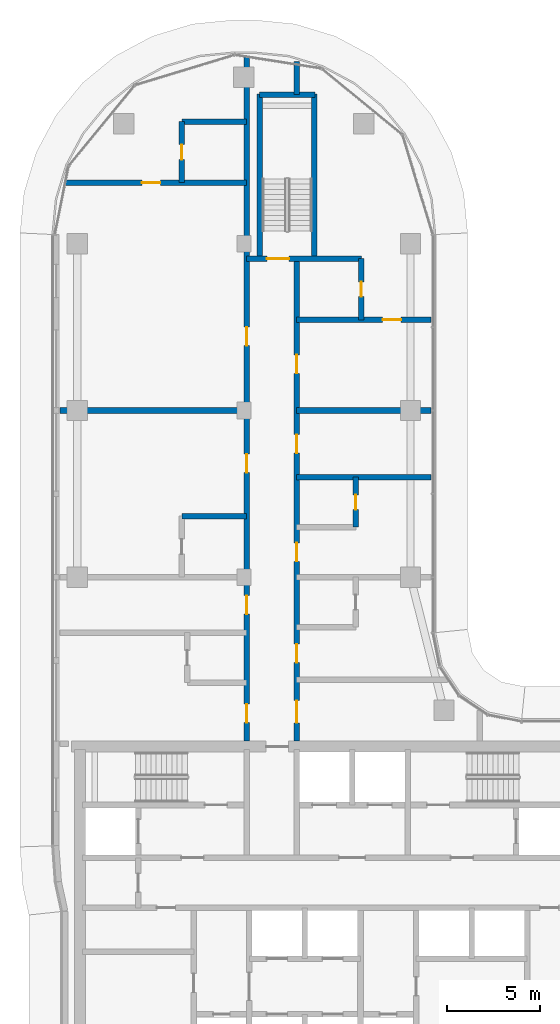
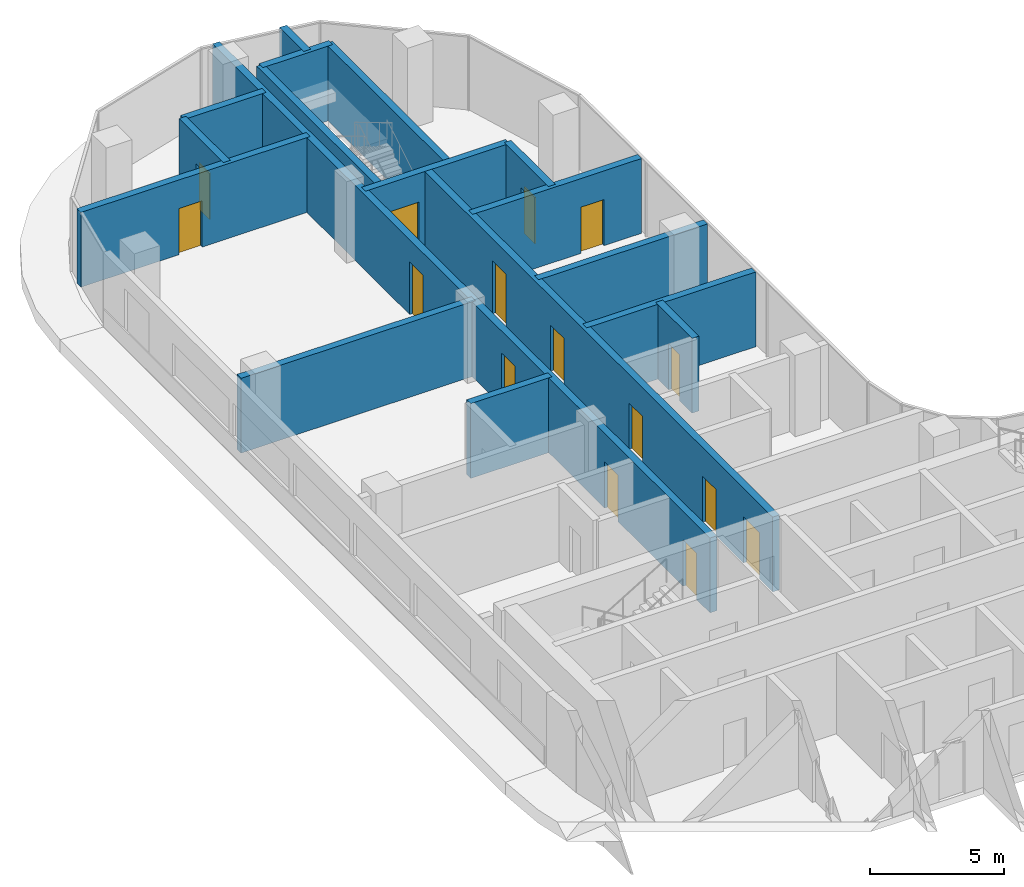
# One storey, part 14 of 27: 17 walls, 15 doors, 15 openings.
"""IFC4 building model written with IfcOpenShell, lengths in metres."""

from ifc_helpers import new_model, si_unit, direction, frame, frame_2d, origin, place, context, subcontext, project, spatial, rectangle, extrude, material, layer, layer_set, type_object, element, fill, save


model = new_model("IFC4")

# Units and contexts
model_context = context("Model", 3, precision=1e-05, world=origin(), true_north=direction((0.0, 1.0)))
body_context = subcontext(model_context, "Body", "Model", "MODEL_VIEW")
ifc_project = project(units=[si_unit("LENGTHUNIT", "METRE"), si_unit("AREAUNIT", "SQUARE_METRE"), si_unit("VOLUMEUNIT", "CUBIC_METRE"), si_unit("PLANEANGLEUNIT", "RADIAN"), si_unit("MASSUNIT", "GRAM", prefix="KILO")], contexts=[model_context])

# Site, building, storey
site_placement = place(None, origin())
site = spatial("IfcSite", under=ifc_project, at=site_placement, CompositionType="ELEMENT")
building_placement = place(site_placement, origin())
building = spatial("IfcBuilding", under=site, at=building_placement, Name="Ogive Portal Towers", CompositionType="ELEMENT")
storey_placement = place(building_placement, frame((0.0, 0.0, 160.699951171875)))
storey = spatial("IfcBuildingStorey", under=building, at=storey_placement, Name="L39", CompositionType="ELEMENT", Elevation=160.699951171875)

# Wall, opening, door
ifc_material_1 = material(Name="Concrete C50/60", Category="concrete")
ifc_layer_1 = layer(ifc_material_1, 0.300048828125)
ifc_layer_set_1 = layer_set([ifc_layer_1], Name="STAIR WALL 300 C50")
wall_type_1 = type_object("IfcWallType", Name="STAIR WALL 300 C50", PredefinedType="SHEAR", material=ifc_layer_set_1)
wall_1_placement = place(storey_placement, frame((40.64990234375, 65.699951171875, 0.0), z_axis=(0.0, 0.0, 1.0), x_axis=(1.0, 0.0, 0.0)))
wall_1 = element("IfcWall", 1, at=wall_1_placement, inside=storey, type_object=wall_type_1, Name="Stair wall ST-A3 L39", PredefinedType="SHEAR", context=body_context, shape_type="SweptSolid", body=[
    extrude(rectangle(XDim=6.2001953125, YDim=0.300048828125, at=frame_2d((3.10009765625, 0.0))), origin(), (0.0, 0.0, 1.0), 3.400146484375),
])
opening_1_placement = place(wall_1_placement, frame((1.10009765625, 0.0, 0.0)))
opening_1 = element("IfcOpeningElement", 2, at=opening_1_placement, cuts=wall_1, Name="Opening D16-052", PredefinedType="OPENING", context=body_context, shape_type="SweptSolid", body=[
    extrude(rectangle(XDim=1.199951171875, YDim=2.10009765625, at=frame_2d((0.60009765625, 1.050048828125))), frame((0.0, 0.16015625, 0.0), z_axis=(0.0, -1.0, 0.0), x_axis=(1.0, 0.0, 0.0)), (0.0, 0.0, 1.0), 0.320068359375),
])
ifc_material_2 = material(Name="Steel fire door", Category="steel")
door_type_1 = type_object("IfcDoorType", Name="DT-STAIR-1200x2100-FD90S", OperationType="SINGLE_SWING_LEFT", PredefinedType="DOOR", material=ifc_material_2)
door_1_placement = place(opening_1_placement, origin())
door_1 = element("IfcDoor", 3, at=door_1_placement, inside=storey, type_object=door_type_1, Name="Door D16-052", OperationType="SINGLE_SWING_RIGHT", OverallHeight=2.10009765625, OverallWidth=1.199951171875, PredefinedType="DOOR", context=body_context, shape_type="SweptSolid", body=[
    extrude(rectangle(XDim=1.199951171875, YDim=2.10009765625, at=frame_2d((0.60009765625, 1.050048828125))), frame((0.0, 0.02490234375, 0.0), z_axis=(0.0, -1.0, 0.0), x_axis=(1.0, 0.0, 0.0)), (0.0, 0.0, 1.0), 0.050048828125),
])
fill(opening_1, door_1)

# Walls
wall_2_placement = place(storey_placement, frame((41.35009765625, 74.550048828125, 0.0), z_axis=(0.0, 0.0, 1.0), x_axis=(1.0, 0.0, 0.0)))
element("IfcWall", 4, at=wall_2_placement, inside=storey, type_object=wall_type_1, Name="Stair wall ST-A3 L39", PredefinedType="SHEAR", context=body_context, shape_type="SweptSolid", body=[
    extrude(rectangle(XDim=3.0, YDim=0.300048828125, at=frame_2d((1.5, 0.0))), origin(), (0.0, 0.0, 1.0), 3.400146484375),
])
wall_3_placement = place(storey_placement, frame((41.35009765625, 65.75, 0.0), z_axis=(0.0, 0.0, 1.0), x_axis=(0.0, 1.0, 0.0)))
element("IfcWall", 5, at=wall_3_placement, inside=storey, type_object=wall_type_1, Name="Stair wall ST-A3 L39", PredefinedType="SHEAR", context=body_context, shape_type="SweptSolid", body=[
    extrude(rectangle(XDim=8.85009765625, YDim=0.300048828125, at=frame_2d((4.425048828125, 0.0))), origin(), (0.0, 0.0, 1.0), 3.400146484375),
])
wall_4_placement = place(storey_placement, frame((44.300048828125, 65.699951171875, 0.0), z_axis=(0.0, 0.0, 1.0), x_axis=(0.0, 1.0, 0.0)))
element("IfcWall", 6, at=wall_4_placement, inside=storey, type_object=wall_type_1, Name="Stair wall ST-A3 L39", PredefinedType="SHEAR", context=body_context, shape_type="SweptSolid", body=[
    extrude(rectangle(XDim=8.900146484375, YDim=0.300048828125, at=frame_2d((4.4501953125, 0.0))), origin(), (0.0, 0.0, 1.0), 3.400146484375),
])
ifc_material_3 = material(Name="Gypsum board partition on steel studs", Category="steel")
ifc_layer_2 = layer(ifc_material_3, 0.300048828125)
ifc_layer_set_2 = layer_set([ifc_layer_2], Name="WT-PART-300-EI 60")
wall_type_2 = type_object("IfcWallType", Name="WT-PART-300-EI 60", PredefinedType="PARTITIONING", material=ifc_layer_set_2)
wall_5_placement = place(storey_placement, frame((37.14990234375, 51.800048828125, 0.0), z_axis=(0.0, 0.0, 1.0), x_axis=(1.0, 0.0, 0.0)))
element("IfcWall", 7, at=wall_5_placement, inside=storey, type_object=wall_type_2, Name="Wall L39:w016", PredefinedType="PARTITIONING", context=body_context, shape_type="SweptSolid", body=[
    extrude(rectangle(XDim=3.5, YDim=0.300048828125, at=frame_2d((1.75, 0.0))), origin(), (0.0, 0.0, 1.0), 3.400146484375),
])
wall_6_placement = place(storey_placement, frame((43.35009765625, 53.89990234375, 0.0), z_axis=(0.0, 0.0, 1.0), x_axis=(1.0, 0.0, 0.0)))
element("IfcWall", 8, at=wall_6_placement, inside=storey, type_object=wall_type_2, Name="Wall L39:w017", PredefinedType="PARTITIONING", context=body_context, shape_type="SweptSolid", body=[
    extrude(rectangle(XDim=7.264892578125, YDim=0.300048828125, at=frame_2d((3.63232421875, 0.0))), origin(), (0.0, 0.0, 1.0), 3.400146484375),
])
wall_7_placement = place(storey_placement, frame((30.56494140625, 57.5, 0.0), z_axis=(0.0, 0.0, 1.0), x_axis=(1.0, 0.0, 0.0)))
element("IfcWall", 9, at=wall_7_placement, inside=storey, type_object=wall_type_2, Name="Wall L39:w018", PredefinedType="PARTITIONING", context=body_context, shape_type="SweptSolid", body=[
    extrude(rectangle(XDim=10.0849609375, YDim=0.300048828125, at=frame_2d((5.04248046875, 0.0))), origin(), (0.0, 0.0, 1.0), 3.400146484375),
])
wall_8_placement = place(storey_placement, frame((43.35009765625, 57.5, 0.0), z_axis=(0.0, 0.0, 1.0), x_axis=(1.0, 0.0, 0.0)))
element("IfcWall", 10, at=wall_8_placement, inside=storey, type_object=wall_type_2, Name="Wall L39:w019", PredefinedType="PARTITIONING", context=body_context, shape_type="SweptSolid", body=[
    extrude(rectangle(XDim=7.264892578125, YDim=0.300048828125, at=frame_2d((3.63232421875, 0.0))), origin(), (0.0, 0.0, 1.0), 3.400146484375),
])

# Wall, opening, door
wall_9_placement = place(storey_placement, frame((43.35009765625, 62.39990234375, 0.0), z_axis=(0.0, 0.0, 1.0), x_axis=(1.0, 0.0, 0.0)))
wall_9 = element("IfcWall", 11, at=wall_9_placement, inside=storey, type_object=wall_type_2, Name="Wall L39:w020", PredefinedType="PARTITIONING", context=body_context, shape_type="SweptSolid", body=[
    extrude(rectangle(XDim=7.264892578125, YDim=0.300048828125, at=frame_2d((3.63232421875, 0.0))), origin(), (0.0, 0.0, 1.0), 3.400146484375),
])
opening_2_placement = place(wall_9_placement, frame((4.64990234375, 0.0, 0.0)))
opening_2 = element("IfcOpeningElement", 12, at=opening_2_placement, cuts=wall_9, Name="Opening D16-043", PredefinedType="OPENING", context=body_context, shape_type="SweptSolid", body=[
    extrude(rectangle(XDim=1.0, YDim=2.10009765625, at=frame_2d((0.5, 1.050048828125))), frame((0.0, 0.16015625, 0.0), z_axis=(0.0, -1.0, 0.0), x_axis=(1.0, 0.0, 0.0)), (0.0, 0.0, 1.0), 0.320068359375),
])
door_type_2 = type_object("IfcDoorType", Name="DT-ENTRY-1000x2100-FD60S", OperationType="SINGLE_SWING_LEFT", PredefinedType="DOOR", material=ifc_material_2)
door_2_placement = place(opening_2_placement, origin())
door_2 = element("IfcDoor", 13, at=door_2_placement, inside=storey, type_object=door_type_2, Name="Door D16-043", OperationType="SINGLE_SWING_RIGHT", OverallHeight=2.10009765625, OverallWidth=1.0, PredefinedType="DOOR", context=body_context, shape_type="SweptSolid", body=[
    extrude(rectangle(XDim=1.0, YDim=2.10009765625, at=frame_2d((0.5, 1.050048828125))), frame((0.0, 0.02490234375, 0.0), z_axis=(0.0, -1.0, 0.0), x_axis=(1.0, 0.0, 0.0)), (0.0, 0.0, 1.0), 0.050048828125),
])
fill(opening_2, door_2)

wall_10_placement = place(storey_placement, frame((30.7880859375, 69.800048828125, 0.0), z_axis=(0.0, 0.0, 1.0), x_axis=(1.0, 0.0, 0.0)))
wall_10 = element("IfcWall", 14, at=wall_10_placement, inside=storey, type_object=wall_type_2, Name="Wall L39:w022", PredefinedType="PARTITIONING", context=body_context, shape_type="SweptSolid", body=[
    extrude(rectangle(XDim=9.86181640625, YDim=0.300048828125, at=frame_2d((4.930908203125, 0.0))), origin(), (0.0, 0.0, 1.0), 3.400146484375),
])
opening_3_placement = place(wall_10_placement, frame((4.2119140625, 0.0, 0.0)))
opening_3 = element("IfcOpeningElement", 15, at=opening_3_placement, cuts=wall_10, Name="Opening D16-046", PredefinedType="OPENING", context=body_context, shape_type="SweptSolid", body=[
    extrude(rectangle(XDim=1.0, YDim=2.10009765625, at=frame_2d((0.5, 1.050048828125))), frame((0.0, 0.16015625, 0.0), z_axis=(0.0, -1.0, 0.0), x_axis=(1.0, 0.0, 0.0)), (0.0, 0.0, 1.0), 0.320068359375),
])
door_3_placement = place(opening_3_placement, origin())
door_3 = element("IfcDoor", 16, at=door_3_placement, inside=storey, type_object=door_type_2, Name="Door D16-046", OperationType="SINGLE_SWING_RIGHT", OverallHeight=2.10009765625, OverallWidth=1.0, PredefinedType="DOOR", context=body_context, shape_type="SweptSolid", body=[
    extrude(rectangle(XDim=1.0, YDim=2.10009765625, at=frame_2d((0.5, 1.050048828125))), frame((0.0, 0.02490234375, 0.0), z_axis=(0.0, -1.0, 0.0), x_axis=(1.0, 0.0, 0.0)), (0.0, 0.0, 1.0), 0.050048828125),
])
fill(opening_3, door_3)

# Wall
wall_11_placement = place(storey_placement, frame((37.14990234375, 73.10009765625, 0.0), z_axis=(0.0, 0.0, 1.0), x_axis=(1.0, 0.0, 0.0)))
element("IfcWall", 17, at=wall_11_placement, inside=storey, type_object=wall_type_2, Name="Wall L39:w023", PredefinedType="PARTITIONING", context=body_context, shape_type="SweptSolid", body=[
    extrude(rectangle(XDim=3.5, YDim=0.300048828125, at=frame_2d((1.75, 0.0))), origin(), (0.0, 0.0, 1.0), 3.400146484375),
])

# Wall, opening, door
wall_12_placement = place(storey_placement, frame((37.14990234375, 69.800048828125, 0.0), z_axis=(0.0, 0.0, 1.0), x_axis=(0.0, 1.0, 0.0)))
wall_12 = element("IfcWall", 18, at=wall_12_placement, inside=storey, type_object=wall_type_2, Name="Wall L39:w026", PredefinedType="PARTITIONING", context=body_context, shape_type="SweptSolid", body=[
    extrude(rectangle(XDim=3.300048828125, YDim=0.300048828125, at=frame_2d((1.64990234375, 0.0))), origin(), (0.0, 0.0, 1.0), 3.400146484375),
])
opening_4_placement = place(wall_12_placement, frame((1.25, 0.0, 0.0)))
opening_4 = element("IfcOpeningElement", 19, at=opening_4_placement, cuts=wall_12, Name="Opening D16-047", PredefinedType="OPENING", context=body_context, shape_type="SweptSolid", body=[
    extrude(rectangle(XDim=0.800048828125, YDim=2.10009765625, at=frame_2d((0.39990234375, 1.050048828125))), frame((0.0, 0.16015625, 0.0), z_axis=(0.0, -1.0, 0.0), x_axis=(1.0, 0.0, 0.0)), (0.0, 0.0, 1.0), 0.320068359375),
])
door_type_3 = type_object("IfcDoorType", Name="DT-BATH-800x2100-FD60S", OperationType="SINGLE_SWING_LEFT", PredefinedType="DOOR", material=ifc_material_2)
door_4_placement = place(opening_4_placement, origin())
door_4 = element("IfcDoor", 20, at=door_4_placement, inside=storey, type_object=door_type_3, Name="Door D16-047", OperationType="SINGLE_SWING_LEFT", OverallHeight=2.10009765625, OverallWidth=0.800048828125, PredefinedType="DOOR", context=body_context, shape_type="SweptSolid", body=[
    extrude(rectangle(XDim=0.800048828125, YDim=2.10009765625, at=frame_2d((0.39990234375, 1.050048828125))), frame((0.0, 0.02490234375, 0.0), z_axis=(0.0, -1.0, 0.0), x_axis=(1.0, 0.0, 0.0)), (0.0, 0.0, 1.0), 0.050048828125),
])
fill(opening_4, door_4)

# Wall, openings, doors
wall_13_placement = place(storey_placement, frame((40.64990234375, 39.64990234375, 0.0), z_axis=(0.0, 0.0, 1.0), x_axis=(0.0, 1.0, 0.0)))
wall_13 = element("IfcWall", 21, at=wall_13_placement, inside=storey, type_object=wall_type_2, Name="Wall L39:w028", PredefinedType="PARTITIONING", context=body_context, shape_type="SweptSolid", body=[
    extrude(rectangle(XDim=37.025146484375, YDim=0.300048828125, at=frame_2d((18.5126953125, 0.0))), origin(), (0.0, 0.0, 1.0), 3.400146484375),
])
opening_5_placement = place(wall_13_placement, frame((1.0, 0.0, 0.0)))
opening_5 = element("IfcOpeningElement", 22, at=opening_5_placement, cuts=wall_13, Name="Opening D16-035", PredefinedType="OPENING", context=body_context, shape_type="SweptSolid", body=[
    extrude(rectangle(XDim=1.0, YDim=2.10009765625, at=frame_2d((0.5, 1.050048828125))), frame((0.0, 0.16015625, 0.0), z_axis=(0.0, -1.0, 0.0), x_axis=(1.0, 0.0, 0.0)), (0.0, 0.0, 1.0), 0.320068359375),
])
opening_6_placement = place(wall_13_placement, frame((6.85009765625, 0.0, 0.0)))
opening_6 = element("IfcOpeningElement", 23, at=opening_6_placement, cuts=wall_13, Name="Opening D16-036", PredefinedType="OPENING", context=body_context, shape_type="SweptSolid", body=[
    extrude(rectangle(XDim=1.0, YDim=2.10009765625, at=frame_2d((0.5, 1.050048828125))), frame((0.0, 0.16015625, 0.0), z_axis=(0.0, -1.0, 0.0), x_axis=(1.0, 0.0, 0.0)), (0.0, 0.0, 1.0), 0.320068359375),
])
opening_7_placement = place(wall_13_placement, frame((14.5, 0.0, 0.0)))
opening_7 = element("IfcOpeningElement", 24, at=opening_7_placement, cuts=wall_13, Name="Opening D16-041", PredefinedType="OPENING", context=body_context, shape_type="SweptSolid", body=[
    extrude(rectangle(XDim=1.0, YDim=2.39990234375, at=frame_2d((0.5, 1.199951171875))), frame((0.0, 0.16015625, 0.0), z_axis=(0.0, -1.0, 0.0), x_axis=(1.0, 0.0, 0.0)), (0.0, 0.0, 1.0), 0.320068359375),
])
opening_8_placement = place(wall_13_placement, frame((21.35009765625, 0.0, 0.0)))
opening_8 = element("IfcOpeningElement", 25, at=opening_8_placement, cuts=wall_13, Name="Opening D16-045", PredefinedType="OPENING", context=body_context, shape_type="SweptSolid", body=[
    extrude(rectangle(XDim=1.0, YDim=2.39990234375, at=frame_2d((0.5, 1.199951171875))), frame((0.0, 0.16015625, 0.0), z_axis=(0.0, -1.0, 0.0), x_axis=(1.0, 0.0, 0.0)), (0.0, 0.0, 1.0), 0.320068359375),
])
door_5_placement = place(opening_5_placement, origin())
door_5 = element("IfcDoor", 26, at=door_5_placement, inside=storey, type_object=door_type_2, Name="Door D16-035", OperationType="SINGLE_SWING_RIGHT", OverallHeight=2.10009765625, OverallWidth=1.0, PredefinedType="DOOR", context=body_context, shape_type="SweptSolid", body=[
    extrude(rectangle(XDim=1.0, YDim=2.10009765625, at=frame_2d((0.5, 1.050048828125))), frame((0.0, 0.02490234375, 0.0), z_axis=(0.0, -1.0, 0.0), x_axis=(1.0, 0.0, 0.0)), (0.0, 0.0, 1.0), 0.050048828125),
])
fill(opening_5, door_5)
door_6_placement = place(opening_6_placement, origin())
door_6 = element("IfcDoor", 27, at=door_6_placement, inside=storey, type_object=door_type_2, Name="Door D16-036", OperationType="SINGLE_SWING_LEFT", OverallHeight=2.10009765625, OverallWidth=1.0, PredefinedType="DOOR", context=body_context, shape_type="SweptSolid", body=[
    extrude(rectangle(XDim=1.0, YDim=2.10009765625, at=frame_2d((0.5, 1.050048828125))), frame((0.0, 0.02490234375, 0.0), z_axis=(0.0, -1.0, 0.0), x_axis=(1.0, 0.0, 0.0)), (0.0, 0.0, 1.0), 0.050048828125),
])
fill(opening_6, door_6)
door_type_4 = type_object("IfcDoorType", Name="DT-ENTRY-1000x2400-FD60S", OperationType="SINGLE_SWING_LEFT", PredefinedType="DOOR", material=ifc_material_2)
door_7_placement = place(opening_7_placement, origin())
door_7 = element("IfcDoor", 28, at=door_7_placement, inside=storey, type_object=door_type_4, Name="Door D16-041", OperationType="SINGLE_SWING_RIGHT", OverallHeight=2.39990234375, OverallWidth=1.0, PredefinedType="DOOR", context=body_context, shape_type="SweptSolid", body=[
    extrude(rectangle(XDim=1.0, YDim=2.39990234375, at=frame_2d((0.5, 1.199951171875))), frame((0.0, 0.02490234375, 0.0), z_axis=(0.0, -1.0, 0.0), x_axis=(1.0, 0.0, 0.0)), (0.0, 0.0, 1.0), 0.050048828125),
])
fill(opening_7, door_7)
door_8_placement = place(opening_8_placement, origin())
door_8 = element("IfcDoor", 29, at=door_8_placement, inside=storey, type_object=door_type_4, Name="Door D16-045", OperationType="SINGLE_SWING_LEFT", OverallHeight=2.39990234375, OverallWidth=1.0, PredefinedType="DOOR", context=body_context, shape_type="SweptSolid", body=[
    extrude(rectangle(XDim=1.0, YDim=2.39990234375, at=frame_2d((0.5, 1.199951171875))), frame((0.0, 0.02490234375, 0.0), z_axis=(0.0, -1.0, 0.0), x_axis=(1.0, 0.0, 0.0)), (0.0, 0.0, 1.0), 0.050048828125),
])
fill(opening_8, door_8)

# Wall, opening, door
wall_14_placement = place(storey_placement, frame((46.550048828125, 51.199951171875, 0.0), z_axis=(0.0, 0.0, 1.0), x_axis=(0.0, 1.0, 0.0)))
wall_14 = element("IfcWall", 30, at=wall_14_placement, inside=storey, type_object=wall_type_2, Name="Wall L39:w034", PredefinedType="PARTITIONING", context=body_context, shape_type="SweptSolid", body=[
    extrude(rectangle(XDim=2.699951171875, YDim=0.300048828125, at=frame_2d((1.35009765625, 0.0))), origin(), (0.0, 0.0, 1.0), 3.400146484375),
])
opening_9_placement = place(wall_14_placement, frame((0.949951171875, 0.0, 0.0)))
opening_9 = element("IfcOpeningElement", 31, at=opening_9_placement, cuts=wall_14, Name="Opening D16-037", PredefinedType="OPENING", context=body_context, shape_type="SweptSolid", body=[
    extrude(rectangle(XDim=0.800048828125, YDim=2.10009765625, at=frame_2d((0.39990234375, 1.050048828125))), frame((0.0, 0.16015625, 0.0), z_axis=(0.0, -1.0, 0.0), x_axis=(1.0, 0.0, 0.0)), (0.0, 0.0, 1.0), 0.320068359375),
])
door_9_placement = place(opening_9_placement, origin())
door_9 = element("IfcDoor", 32, at=door_9_placement, inside=storey, type_object=door_type_3, Name="Door D16-037", OperationType="SINGLE_SWING_LEFT", OverallHeight=2.10009765625, OverallWidth=0.800048828125, PredefinedType="DOOR", context=body_context, shape_type="SweptSolid", body=[
    extrude(rectangle(XDim=0.800048828125, YDim=2.10009765625, at=frame_2d((0.39990234375, 1.050048828125))), frame((0.0, 0.02490234375, 0.0), z_axis=(0.0, -1.0, 0.0), x_axis=(1.0, 0.0, 0.0)), (0.0, 0.0, 1.0), 0.050048828125),
])
fill(opening_9, door_9)

wall_15_placement = place(storey_placement, frame((46.85009765625, 62.39990234375, 0.0), z_axis=(0.0, 0.0, 1.0), x_axis=(0.0, 1.0, 0.0)))
wall_15 = element("IfcWall", 33, at=wall_15_placement, inside=storey, type_object=wall_type_2, Name="Wall L39:w035", PredefinedType="PARTITIONING", context=body_context, shape_type="SweptSolid", body=[
    extrude(rectangle(XDim=3.300048828125, YDim=0.300048828125, at=frame_2d((1.64990234375, 0.0))), origin(), (0.0, 0.0, 1.0), 3.400146484375),
])
opening_10_placement = place(wall_15_placement, frame((1.25, 0.0, 0.0)))
opening_10 = element("IfcOpeningElement", 34, at=opening_10_placement, cuts=wall_15, Name="Opening D16-044", PredefinedType="OPENING", context=body_context, shape_type="SweptSolid", body=[
    extrude(rectangle(XDim=0.800048828125, YDim=2.10009765625, at=frame_2d((0.39990234375, 1.050048828125))), frame((0.0, 0.16015625, 0.0), z_axis=(0.0, -1.0, 0.0), x_axis=(1.0, 0.0, 0.0)), (0.0, 0.0, 1.0), 0.320068359375),
])
door_10_placement = place(opening_10_placement, origin())
door_10 = element("IfcDoor", 35, at=door_10_placement, inside=storey, type_object=door_type_3, Name="Door D16-044", OperationType="SINGLE_SWING_LEFT", OverallHeight=2.10009765625, OverallWidth=0.800048828125, PredefinedType="DOOR", context=body_context, shape_type="SweptSolid", body=[
    extrude(rectangle(XDim=0.800048828125, YDim=2.10009765625, at=frame_2d((0.39990234375, 1.050048828125))), frame((0.0, 0.02490234375, 0.0), z_axis=(0.0, -1.0, 0.0), x_axis=(1.0, 0.0, 0.0)), (0.0, 0.0, 1.0), 0.050048828125),
])
fill(opening_10, door_10)

# Wall, openings, doors
ifc_material_4 = material(Name="Concrete C40/50", Category="concrete")
ifc_layer_3 = layer(ifc_material_4, 0.300048828125)
ifc_layer_set_3 = layer_set([ifc_layer_3], Name="WT-SHAFT-300")
wall_type_3 = type_object("IfcWallType", Name="WT-SHAFT-300", PredefinedType="SOLIDWALL", material=ifc_layer_set_3)
wall_16_placement = place(storey_placement, frame((43.35009765625, 39.64990234375, 0.0), z_axis=(0.0, 0.0, 1.0), x_axis=(0.0, 1.0, 0.0)))
wall_16 = element("IfcWall", 36, at=wall_16_placement, inside=storey, type_object=wall_type_3, Name="Wall L39:w030", PredefinedType="SOLIDWALL", context=body_context, shape_type="SweptSolid", body=[
    extrude(rectangle(XDim=26.10009765625, YDim=0.300048828125, at=frame_2d((13.050048828125, 0.0))), origin(), (0.0, 0.0, 1.0), 3.400146484375),
])
opening_11_placement = place(wall_16_placement, frame((0.985107421875, 0.0, 0.0)))
opening_11 = element("IfcOpeningElement", 37, at=opening_11_placement, cuts=wall_16, Name="Opening D16-031", PredefinedType="OPENING", context=body_context, shape_type="SweptSolid", body=[
    extrude(rectangle(XDim=1.199951171875, YDim=2.10009765625, at=frame_2d((0.60009765625, 1.050048828125))), frame((0.0, 0.16015625, 0.0), z_axis=(0.0, -1.0, 0.0), x_axis=(1.0, 0.0, 0.0)), (0.0, 0.0, 1.0), 0.320068359375),
])
opening_12_placement = place(wall_16_placement, frame((4.235107421875, 0.0, 0.0)))
opening_12 = element("IfcOpeningElement", 38, at=opening_12_placement, cuts=wall_16, Name="Opening D16-033", PredefinedType="OPENING", context=body_context, shape_type="SweptSolid", body=[
    extrude(rectangle(XDim=1.0, YDim=2.10009765625, at=frame_2d((0.5, 1.050048828125))), frame((0.0, 0.16015625, 0.0), z_axis=(0.0, -1.0, 0.0), x_axis=(1.0, 0.0, 0.0)), (0.0, 0.0, 1.0), 0.320068359375),
])
opening_13_placement = place(wall_16_placement, frame((9.699951171875, 0.0, 0.0)))
opening_13 = element("IfcOpeningElement", 39, at=opening_13_placement, cuts=wall_16, Name="Opening D16-038", PredefinedType="OPENING", context=body_context, shape_type="SweptSolid", body=[
    extrude(rectangle(XDim=1.0, YDim=2.10009765625, at=frame_2d((0.5, 1.050048828125))), frame((0.0, 0.16015625, 0.0), z_axis=(0.0, -1.0, 0.0), x_axis=(1.0, 0.0, 0.0)), (0.0, 0.0, 1.0), 0.320068359375),
])
opening_14_placement = place(wall_16_placement, frame((15.550048828125, 0.0, 0.0)))
opening_14 = element("IfcOpeningElement", 40, at=opening_14_placement, cuts=wall_16, Name="Opening D16-039", PredefinedType="OPENING", context=body_context, shape_type="SweptSolid", body=[
    extrude(rectangle(XDim=1.0, YDim=2.10009765625, at=frame_2d((0.5, 1.050048828125))), frame((0.0, 0.16015625, 0.0), z_axis=(0.0, -1.0, 0.0), x_axis=(1.0, 0.0, 0.0)), (0.0, 0.0, 1.0), 0.320068359375),
])
opening_15_placement = place(wall_16_placement, frame((19.85009765625, 0.0, 0.0)))
opening_15 = element("IfcOpeningElement", 41, at=opening_15_placement, cuts=wall_16, Name="Opening D16-042", PredefinedType="OPENING", context=body_context, shape_type="SweptSolid", body=[
    extrude(rectangle(XDim=1.0, YDim=2.39990234375, at=frame_2d((0.5, 1.199951171875))), frame((0.0, 0.16015625, 0.0), z_axis=(0.0, -1.0, 0.0), x_axis=(1.0, 0.0, 0.0)), (0.0, 0.0, 1.0), 0.320068359375),
])
door_type_5 = type_object("IfcDoorType", Name="DT-ENTRY-1000x2100-FD90S", OperationType="SINGLE_SWING_LEFT", PredefinedType="DOOR", material=ifc_material_2)
door_11_placement = place(opening_12_placement, origin())
door_11 = element("IfcDoor", 42, at=door_11_placement, inside=storey, type_object=door_type_5, Name="Door D16-033", OperationType="SINGLE_SWING_LEFT", OverallHeight=2.10009765625, OverallWidth=1.0, PredefinedType="DOOR", context=body_context, shape_type="SweptSolid", body=[
    extrude(rectangle(XDim=1.0, YDim=2.10009765625, at=frame_2d((0.5, 1.050048828125))), frame((0.0, 0.02490234375, 0.0), z_axis=(0.0, -1.0, 0.0), x_axis=(1.0, 0.0, 0.0)), (0.0, 0.0, 1.0), 0.050048828125),
])
fill(opening_12, door_11)
door_12_placement = place(opening_13_placement, origin())
door_12 = element("IfcDoor", 43, at=door_12_placement, inside=storey, type_object=door_type_5, Name="Door D16-038", OperationType="SINGLE_SWING_RIGHT", OverallHeight=2.10009765625, OverallWidth=1.0, PredefinedType="DOOR", context=body_context, shape_type="SweptSolid", body=[
    extrude(rectangle(XDim=1.0, YDim=2.10009765625, at=frame_2d((0.5, 1.050048828125))), frame((0.0, 0.02490234375, 0.0), z_axis=(0.0, -1.0, 0.0), x_axis=(1.0, 0.0, 0.0)), (0.0, 0.0, 1.0), 0.050048828125),
])
fill(opening_13, door_12)
door_13_placement = place(opening_14_placement, origin())
door_13 = element("IfcDoor", 44, at=door_13_placement, inside=storey, type_object=door_type_5, Name="Door D16-039", OperationType="SINGLE_SWING_LEFT", OverallHeight=2.10009765625, OverallWidth=1.0, PredefinedType="DOOR", context=body_context, shape_type="SweptSolid", body=[
    extrude(rectangle(XDim=1.0, YDim=2.10009765625, at=frame_2d((0.5, 1.050048828125))), frame((0.0, 0.02490234375, 0.0), z_axis=(0.0, -1.0, 0.0), x_axis=(1.0, 0.0, 0.0)), (0.0, 0.0, 1.0), 0.050048828125),
])
fill(opening_14, door_13)
door_type_6 = type_object("IfcDoorType", Name="DT-ENTRY-1000x2400-FD90S", OperationType="SINGLE_SWING_LEFT", PredefinedType="DOOR", material=ifc_material_2)
door_14_placement = place(opening_15_placement, origin())
door_14 = element("IfcDoor", 45, at=door_14_placement, inside=storey, type_object=door_type_6, Name="Door D16-042", OperationType="SINGLE_SWING_LEFT", OverallHeight=2.39990234375, OverallWidth=1.0, PredefinedType="DOOR", context=body_context, shape_type="SweptSolid", body=[
    extrude(rectangle(XDim=1.0, YDim=2.39990234375, at=frame_2d((0.5, 1.199951171875))), frame((0.0, 0.02490234375, 0.0), z_axis=(0.0, -1.0, 0.0), x_axis=(1.0, 0.0, 0.0)), (0.0, 0.0, 1.0), 0.050048828125),
])
fill(opening_15, door_14)
door_type_7 = type_object("IfcDoorType", Name="DT-ENTRY-1200x2100-FD90S", OperationType="SINGLE_SWING_LEFT", PredefinedType="DOOR", material=ifc_material_2)
door_15_placement = place(opening_11_placement, origin())
door_15 = element("IfcDoor", 46, at=door_15_placement, inside=storey, type_object=door_type_7, Name="Door D16-031", OperationType="SINGLE_SWING_RIGHT", OverallHeight=2.10009765625, OverallWidth=1.199951171875, PredefinedType="DOOR", context=body_context, shape_type="SweptSolid", body=[
    extrude(rectangle(XDim=1.199951171875, YDim=2.10009765625, at=frame_2d((0.60009765625, 1.050048828125))), frame((0.0, 0.02490234375, 0.0), z_axis=(0.0, -1.0, 0.0), x_axis=(1.0, 0.0, 0.0)), (0.0, 0.0, 1.0), 0.050048828125),
])
fill(opening_11, door_15)

# Wall
wall_17_placement = place(storey_placement, frame((43.35009765625, 74.550048828125, 0.0), z_axis=(0.0, 0.0, 1.0), x_axis=(0.0, 1.0, 0.0)))
element("IfcWall", 47, at=wall_17_placement, inside=storey, type_object=wall_type_3, Name="Wall L39:w031", PredefinedType="SOLIDWALL", context=body_context, shape_type="SweptSolid", body=[
    extrude(rectangle(XDim=1.799072265625, YDim=0.300048828125, at=frame_2d((0.8994140625, 0.0))), origin(), (0.0, 0.0, 1.0), 3.400146484375),
])

save(model, "model.ifc")
